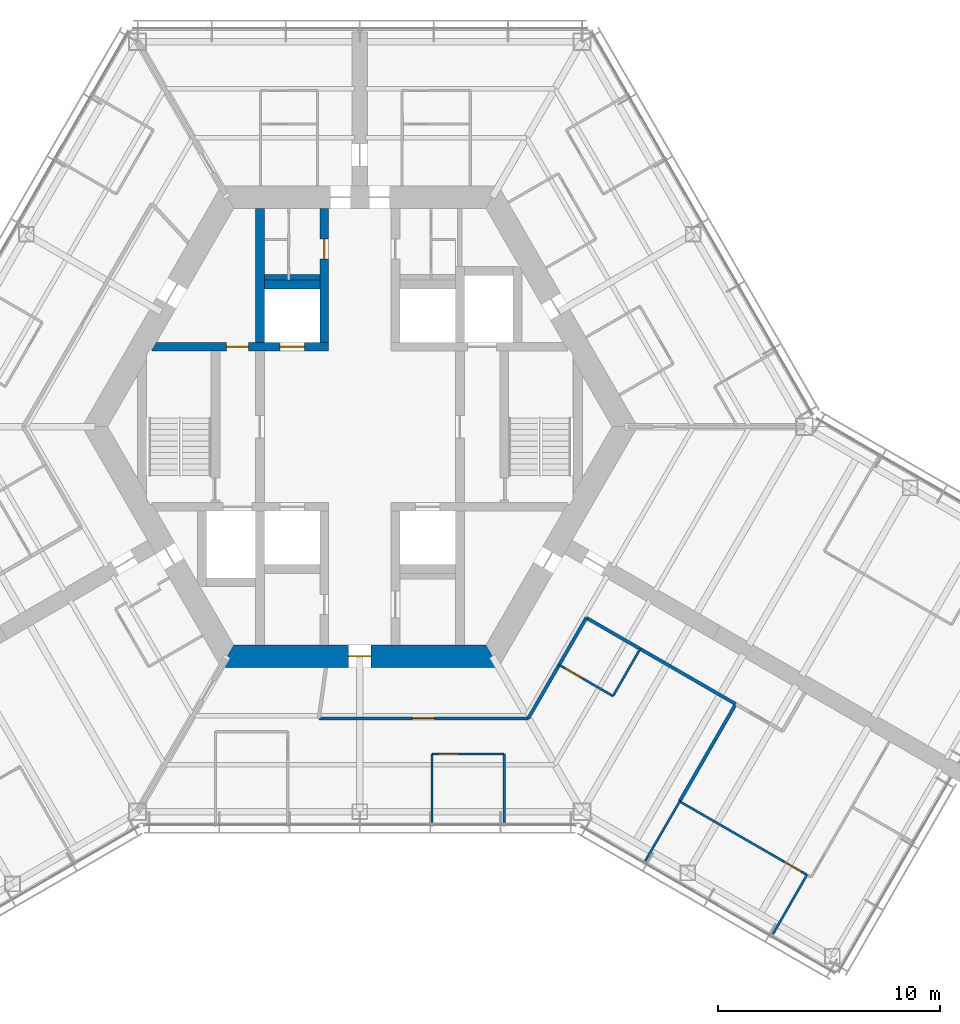
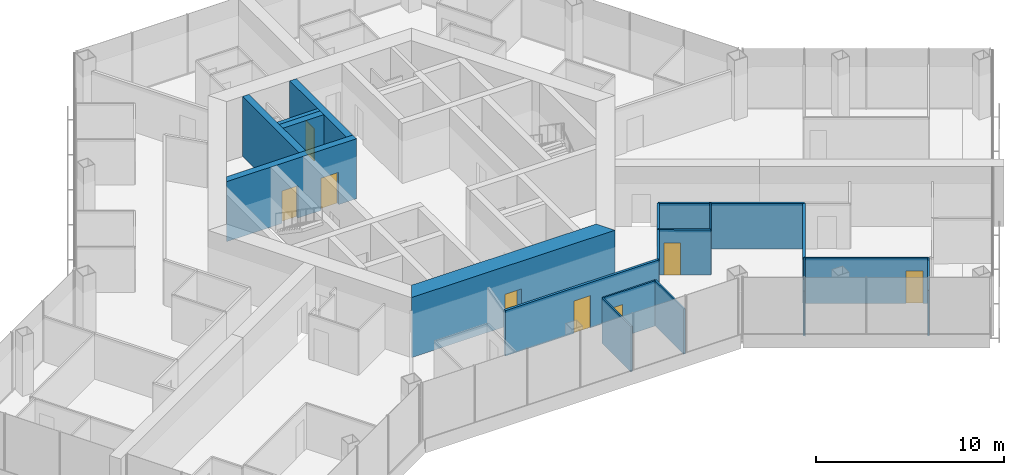
# One storey, part 13 of 19: 20 walls, 8 doors, 8 openings.
"""IFC4 building model written with IfcOpenShell, lengths in metres."""

from ifc_helpers import new_model, si_unit, direction, frame, frame_2d, origin, place, context, subcontext, project, spatial, polyline, rectangle, outline, extrude, material, layer, layer_set, type_object, element, fill, save


model = new_model("IFC4")

# Units and contexts
model_context = context("Model", 3, precision=1e-05, world=origin(), true_north=direction((0.0, 1.0)))
body_context = subcontext(model_context, "Body", "Model", "MODEL_VIEW")
ifc_project = project(units=[si_unit("LENGTHUNIT", "METRE"), si_unit("AREAUNIT", "SQUARE_METRE"), si_unit("VOLUMEUNIT", "CUBIC_METRE"), si_unit("PLANEANGLEUNIT", "RADIAN"), si_unit("MASSUNIT", "GRAM", prefix="KILO")], contexts=[model_context])

# Site, building, storey
site_placement = place(None, origin())
site = spatial("IfcSite", under=ifc_project, at=site_placement, CompositionType="ELEMENT")
building_placement = place(site_placement, origin())
building = spatial("IfcBuilding", under=site, at=building_placement, Name="Kasaneha Research Tower", CompositionType="ELEMENT")
storey_placement = place(building_placement, frame((0.0, 0.0, 156.5)))
storey = spatial("IfcBuildingStorey", under=building, at=storey_placement, Name="L39", CompositionType="ELEMENT", Elevation=156.5)

# Wall, openings, doors
ifc_material_1 = material(Name="Concrete Fc70", Category="concrete")
ifc_layer_1 = layer(ifc_material_1, 0.39990234375)
ifc_layer_set_1 = layer_set([ifc_layer_1], Name="Core internal wall 400 Fc70")
wall_type_1 = type_object("IfcWallType", Name="Core internal wall 400 Fc70", PredefinedType="SHEAR", material=ifc_layer_set_1)
wall_1_placement = place(storey_placement, frame((-9.266357421875, 3.60009765625, 0.0), z_axis=(0.0, 0.0, 1.0), x_axis=(1.0, 0.0, 0.0)))
wall_1 = element("IfcWall", 1, at=wall_1_placement, inside=storey, type_object=wall_type_1, Name="Core wall W1W L39", PredefinedType="SHEAR", context=body_context, shape_type="SweptSolid", body=[
    extrude(outline(polyline([(-0.115478515625, -0.199951171875), (3.266357421875, -0.199951171875), (4.266357421875, -0.199951171875), (5.66650390625, -0.199951171875), (6.7666015625, -0.199951171875), (7.866455078125, -0.199951171875), (7.866455078125, 0.199951171875), (6.7666015625, 0.199951171875), (5.66650390625, 0.199951171875), (4.266357421875, 0.199951171875), (3.266357421875, 0.199951171875), (0.115478515625, 0.199951171875), (-0.115478515625, -0.199951171875)])), origin(), (0.0, 0.0, 1.0), 3.89990234375),
])
opening_1_placement = place(wall_1_placement, frame((3.266357421875, 0.0, 0.0)))
opening_1 = element("IfcOpeningElement", 2, at=opening_1_placement, cuts=wall_1, Name="Opening L39-D12", PredefinedType="OPENING", context=body_context, shape_type="SweptSolid", body=[
    extrude(rectangle(XDim=1.0, YDim=2.10009765625, at=frame_2d((0.5, 1.050048828125))), frame((0.0, 0.2099609375, 0.0), z_axis=(0.0, -1.0, 0.0), x_axis=(1.0, 0.0, 0.0)), (0.0, 0.0, 1.0), 0.419921875),
])
opening_2_placement = place(wall_1_placement, frame((5.66650390625, 0.0, 0.0)))
opening_2 = element("IfcOpeningElement", 3, at=opening_2_placement, cuts=wall_1, Name="Opening LD-LM1-L39", PredefinedType="OPENING", context=body_context, shape_type="SweptSolid", body=[
    extrude(rectangle(XDim=1.10009765625, YDim=2.10009765625, at=frame_2d((0.550048828125, 1.050048828125))), frame((0.0, 0.2099609375, 0.0), z_axis=(0.0, -1.0, 0.0), x_axis=(1.0, 0.0, 0.0)), (0.0, 0.0, 1.0), 0.419921875),
])
ifc_material_2 = material(Name="Steel", Category="steel")
door_type_1 = type_object("IfcDoorType", Name="Lift landing door 1100x2100", OperationType="DOUBLE_DOOR_SLIDING", PredefinedType="DOOR", material=ifc_material_2)
door_1_placement = place(opening_2_placement, origin())
door_1 = element("IfcDoor", 4, at=door_1_placement, inside=storey, type_object=door_type_1, Name="Landing door LM1 LD-LM1-L39", OperationType="DOUBLE_DOOR_SLIDING", OverallHeight=2.10009765625, OverallWidth=1.10009765625, PredefinedType="DOOR", context=body_context, shape_type="SweptSolid", body=[
    extrude(rectangle(XDim=1.10009765625, YDim=2.10009765625, at=frame_2d((0.550048828125, 1.050048828125))), frame((0.0, 0.02490234375, 0.0), z_axis=(0.0, -1.0, 0.0), x_axis=(1.0, 0.0, 0.0)), (0.0, 0.0, 1.0), 0.050048828125),
])
fill(opening_2, door_1)
ifc_material_3 = material(Name="Steel", Category="steel")
door_type_2 = type_object("IfcDoorType", Name="Specified fire door FD60 1000x2100", OperationType="NOTDEFINED", PredefinedType="DOOR", material=ifc_material_3)
door_2_placement = place(opening_1_placement, origin())
door_2 = element("IfcDoor", 5, at=door_2_placement, inside=storey, type_object=door_type_2, Name="Vestibule to lobby door L39-D12", OperationType="SINGLE_SWING_LEFT", OverallHeight=2.10009765625, OverallWidth=1.0, PredefinedType="DOOR", context=body_context, shape_type="SweptSolid", body=[
    extrude(rectangle(XDim=1.0, YDim=2.10009765625, at=frame_2d((0.5, 1.050048828125))), frame((0.0, 0.02490234375, 0.0), z_axis=(0.0, -1.0, 0.0), x_axis=(1.0, 0.0, 0.0)), (0.0, 0.0, 1.0), 0.050048828125),
])
fill(opening_1, door_2)

# Wall, opening, door
wall_2_placement = place(storey_placement, frame((-1.60009765625, 3.800048828125, 0.0), z_axis=(0.0, 0.0, 1.0), x_axis=(0.0, 1.0, 0.0)))
wall_2 = element("IfcWall", 6, at=wall_2_placement, inside=storey, type_object=wall_type_1, Name="Core wall CNW L39", PredefinedType="SHEAR", context=body_context, shape_type="SweptSolid", body=[
    extrude(rectangle(XDim=6.02490234375, YDim=0.39990234375, at=frame_2d((3.012451171875, 0.0))), origin(), (0.0, 0.0, 1.0), 3.89990234375),
])
opening_3_placement = place(wall_2_placement, frame((3.75, 0.0, 0.0)))
opening_3 = element("IfcOpeningElement", 7, at=opening_3_placement, cuts=wall_2, Name="Opening L39-D13", PredefinedType="OPENING", context=body_context, shape_type="SweptSolid", body=[
    extrude(rectangle(XDim=0.89990234375, YDim=2.10009765625, at=frame_2d((0.449951171875, 1.050048828125))), frame((0.0, 0.2099609375, 0.0), z_axis=(0.0, -1.0, 0.0), x_axis=(1.0, 0.0, 0.0)), (0.0, 0.0, 1.0), 0.419921875),
])
ifc_material_4 = material(Name="Steel", Category="steel")
door_type_3 = type_object("IfcDoorType", Name="Toilet door FD20 900x2100", OperationType="NOTDEFINED", PredefinedType="DOOR", material=ifc_material_4)
door_3_placement = place(opening_3_placement, origin())
door_3 = element("IfcDoor", 8, at=door_3_placement, inside=storey, type_object=door_type_3, Name="Men's WC door L39-D13", OperationType="SINGLE_SWING_LEFT", OverallHeight=2.10009765625, OverallWidth=0.89990234375, PredefinedType="DOOR", context=body_context, shape_type="SweptSolid", body=[
    extrude(rectangle(XDim=0.89990234375, YDim=2.10009765625, at=frame_2d((0.449951171875, 1.050048828125))), frame((0.0, 0.02490234375, 0.0), z_axis=(0.0, -1.0, 0.0), x_axis=(1.0, 0.0, 0.0)), (0.0, 0.0, 1.0), 0.050048828125),
])
fill(opening_3, door_3)

# Walls
wall_3_placement = place(storey_placement, frame((-4.5, 3.800048828125, 0.0), z_axis=(0.0, 0.0, 1.0), x_axis=(0.0, 1.0, 0.0)))
element("IfcWall", 9, at=wall_3_placement, inside=storey, type_object=wall_type_1, Name="Core wall VNW L39", PredefinedType="SHEAR", context=body_context, shape_type="SweptSolid", body=[
    extrude(rectangle(XDim=6.02490234375, YDim=0.39990234375, at=frame_2d((3.012451171875, 0.0))), origin(), (0.0, 0.0, 1.0), 3.89990234375),
])
wall_4_placement = place(storey_placement, frame((-4.300048828125, 6.39990234375, 0.0), z_axis=(0.0, 0.0, 1.0), x_axis=(1.0, 0.0, 0.0)))
element("IfcWall", 10, at=wall_4_placement, inside=storey, type_object=wall_type_1, Name="Core wall N1N L39", PredefinedType="SHEAR", context=body_context, shape_type="SweptSolid", body=[
    extrude(rectangle(XDim=2.5, YDim=0.39990234375, at=frame_2d((1.25, 0.0))), origin(), (0.0, 0.0, 1.0), 3.89990234375),
])

# Wall, opening, door
ifc_material_5 = material(Name="Concrete Fc70", Category="concrete")
ifc_layer_2 = layer(ifc_material_5, 1.0)
ifc_layer_set_2 = layer_set([ifc_layer_2], Name="Core wall 1000 Fc70")
wall_type_2 = type_object("IfcWallType", Name="Core wall 1000 Fc70", PredefinedType="SHEAR", material=ifc_layer_set_2)
wall_5_placement = place(storey_placement, frame((-5.961181640625, -10.324951171875, 0.0), z_axis=(0.0, 0.0, 1.0), x_axis=(1.0, 0.0, 0.0)))
wall_5 = element("IfcWall", 11, at=wall_5_placement, inside=storey, type_object=wall_type_2, Name="Core wall 270 L39", PredefinedType="SHEAR", context=body_context, shape_type="SweptSolid", body=[
    extrude(outline(polyline([(-0.28857421875, -0.5), (5.461181640625, -0.5), (6.461181640625, -0.5), (12.2109375, -0.5), (11.6337890625, 0.5), (6.461181640625, 0.5), (5.461181640625, 0.5), (0.28857421875, 0.5), (-0.28857421875, -0.5)])), origin(), (0.0, 0.0, 1.0), 3.89990234375),
])
opening_4_placement = place(wall_5_placement, frame((5.461181640625, 0.0, 0.0)))
opening_4 = element("IfcOpeningElement", 12, at=opening_4_placement, cuts=wall_5, Name="Opening L39-D03", PredefinedType="OPENING", context=body_context, shape_type="SweptSolid", body=[
    extrude(rectangle(XDim=1.0, YDim=2.10009765625, at=frame_2d((0.5, 1.050048828125))), frame((0.0, 0.510009765625, 0.0), z_axis=(0.0, -1.0, 0.0), x_axis=(1.0, 0.0, 0.0)), (0.0, 0.0, 1.0), 1.02001953125),
])
ifc_material_6 = material(Name="Steel", Category="steel")
door_type_4 = type_object("IfcDoorType", Name="Fire door FD20 1000x2100", OperationType="NOTDEFINED", PredefinedType="DOOR", material=ifc_material_6)
door_4_placement = place(opening_4_placement, origin())
door_4 = element("IfcDoor", 13, at=door_4_placement, inside=storey, type_object=door_type_4, Name="Core door south L39-D03", OperationType="SINGLE_SWING_LEFT", OverallHeight=2.10009765625, OverallWidth=1.0, PredefinedType="DOOR", context=body_context, shape_type="SweptSolid", body=[
    extrude(rectangle(XDim=1.0, YDim=2.10009765625, at=frame_2d((0.5, 1.050048828125))), frame((0.0, 0.02490234375, 0.0), z_axis=(0.0, -1.0, 0.0), x_axis=(1.0, 0.0, 0.0)), (0.0, 0.0, 1.0), 0.050048828125),
])
fill(opening_4, door_4)

ifc_material_7 = material(Name="Gypsum board on steel studs, one layer each side", Category="steel")
ifc_layer_3 = layer(ifc_material_7, 0.10009765625)
ifc_layer_set_3 = layer_set([ifc_layer_3], Name="Office partition 100")
wall_type_3 = type_object("IfcWallType", Name="Office partition 100", PredefinedType="PARTITIONING", material=ifc_layer_set_3)
wall_6_placement = place(storey_placement, frame((11.3916015625, -12.119384765625, 0.0), z_axis=(0.0, 0.0, 1.0), x_axis=(-0.865255114713, 0.501331812737, 0.0)))
wall_6 = element("IfcWall", 14, at=wall_6_placement, inside=storey, type_object=wall_type_3, Name="Office partition FCS09 L39", PredefinedType="PARTITIONING", context=body_context, shape_type="SweptSolid", body=[
    extrude(rectangle(XDim=2.800048828125, YDim=0.10009765625, at=frame_2d((1.39990234375, 0.0))), origin(), (0.0, 0.0, 1.0), 2.949951171875),
])
opening_5_placement = place(wall_6_placement, frame((1.60009765625, 0.0, 0.0)))
opening_5 = element("IfcOpeningElement", 15, at=opening_5_placement, cuts=wall_6, Name="Opening L39-D49", PredefinedType="OPENING", context=body_context, shape_type="SweptSolid", body=[
    extrude(rectangle(XDim=0.89990234375, YDim=2.10009765625, at=frame_2d((0.449951171875, 1.050048828125))), frame((0.0, 0.06005859375, 0.0), z_axis=(0.0, -1.0, 0.0), x_axis=(1.0, 0.0, 0.0)), (0.0, 0.0, 1.0), 0.1201171875),
])
ifc_material_8 = material(Name="Timber veneer", Category="wood")
door_type_5 = type_object("IfcDoorType", Name="Office door 900x2100", OperationType="SINGLE_SWING_LEFT", PredefinedType="DOOR", material=ifc_material_8)
door_5_placement = place(opening_5_placement, origin())
door_5 = element("IfcDoor", 16, at=door_5_placement, inside=storey, type_object=door_type_5, Name="Pantry door L39-D49", OperationType="SINGLE_SWING_RIGHT", OverallHeight=2.10009765625, OverallWidth=0.89990234375, PredefinedType="DOOR", context=body_context, shape_type="SweptSolid", body=[
    extrude(rectangle(XDim=0.89990234375, YDim=2.10009765625, at=frame_2d((0.449951171875, 1.050048828125))), frame((0.0, 0.02490234375, 0.0), z_axis=(0.0, -1.0, 0.0), x_axis=(1.0, 0.0, 0.0)), (0.0, 0.0, 1.0), 0.050048828125),
])
fill(opening_5, door_5)

# Walls
wall_7_placement = place(storey_placement, frame((12.612548828125, -9.995361328125, 0.0), z_axis=(0.0, 0.0, 1.0), x_axis=(-0.498358783585, -0.86697088926, 0.0)))
element("IfcWall", 17, at=wall_7_placement, inside=storey, type_object=wall_type_3, Name="Office partition FCS10 L39", PredefinedType="PARTITIONING", context=body_context, shape_type="SweptSolid", body=[
    extrude(rectangle(XDim=2.449951171875, YDim=0.10009765625, at=frame_2d((1.22509765625, 0.0))), origin(), (0.0, 0.0, 1.0), 2.949951171875),
])
wall_8_placement = place(storey_placement, frame((20.1201171875, -20.1611328125, 0.0), z_axis=(0.0, 0.0, 1.0), x_axis=(-0.498424956379, -0.866932847952, 0.0)))
element("IfcWall", 18, at=wall_8_placement, inside=storey, type_object=wall_type_3, Name="Office partition FCS11 L39", PredefinedType="PARTITIONING", context=body_context, shape_type="SweptSolid", body=[
    extrude(rectangle(XDim=3.080078125, YDim=0.10009765625, at=frame_2d((1.5400390625, 0.0))), origin(), (0.0, 0.0, 1.0), 2.949951171875),
])
wall_9_placement = place(storey_placement, frame((12.839599609375, -19.543212890625, 0.0), z_axis=(0.0, 0.0, 1.0), x_axis=(0.501312084577, 0.865266544977, 0.0)))
element("IfcWall", 19, at=wall_9_placement, inside=storey, type_object=wall_type_3, Name="Office partition FCS12 L39", PredefinedType="PARTITIONING", context=body_context, shape_type="SweptSolid", body=[
    extrude(rectangle(XDim=3.105224609375, YDim=0.10009765625, at=frame_2d((1.552734375, 0.0))), origin(), (0.0, 0.0, 1.0), 2.949951171875),
])

# Wall, opening, door
wall_10_placement = place(storey_placement, frame((14.389892578125, -16.85791015625, 0.0), z_axis=(0.0, 0.0, 1.0), x_axis=(0.866056005776, -0.49994699205, 0.0)))
wall_10 = element("IfcWall", 20, at=wall_10_placement, inside=storey, type_object=wall_type_3, Name="Office partition FCS13 L39", PredefinedType="PARTITIONING", context=body_context, shape_type="SweptSolid", body=[
    extrude(rectangle(XDim=6.619873046875, YDim=0.10009765625, at=frame_2d((3.31005859375, 0.0))), origin(), (0.0, 0.0, 1.0), 2.949951171875),
])
opening_6_placement = place(wall_10_placement, frame((5.419677734375, 0.0, 0.0)))
opening_6 = element("IfcOpeningElement", 21, at=opening_6_placement, cuts=wall_10, Name="Opening L39-D50", PredefinedType="OPENING", context=body_context, shape_type="SweptSolid", body=[
    extrude(rectangle(XDim=0.89990234375, YDim=2.10009765625, at=frame_2d((0.449951171875, 1.050048828125))), frame((0.0, 0.06005859375, 0.0), z_axis=(0.0, -1.0, 0.0), x_axis=(1.0, 0.0, 0.0)), (0.0, 0.0, 1.0), 0.1201171875),
])
door_6_placement = place(opening_6_placement, origin())
door_6 = element("IfcDoor", 22, at=door_6_placement, inside=storey, type_object=door_type_5, Name="Manager's office door L39-D50", OperationType="SINGLE_SWING_RIGHT", OverallHeight=2.10009765625, OverallWidth=0.89990234375, PredefinedType="DOOR", context=body_context, shape_type="SweptSolid", body=[
    extrude(rectangle(XDim=0.89990234375, YDim=2.10009765625, at=frame_2d((0.449951171875, 1.050048828125))), frame((0.0, 0.02490234375, 0.0), z_axis=(0.0, -1.0, 0.0), x_axis=(1.0, 0.0, 0.0)), (0.0, 0.0, 1.0), 0.050048828125),
])
fill(opening_6, door_6)

# Wall
wall_11_placement = place(storey_placement, frame((3.246337890625, -17.800537109375, 0.0), z_axis=(0.0, 0.0, 1.0), x_axis=(0.0, 1.0, 0.0)))
element("IfcWall", 23, at=wall_11_placement, inside=storey, type_object=wall_type_3, Name="Office partition FCS20 L39", PredefinedType="PARTITIONING", context=body_context, shape_type="SweptSolid", body=[
    extrude(rectangle(XDim=3.080078125, YDim=0.10009765625, at=frame_2d((1.5400390625, 0.0))), origin(), (0.0, 0.0, 1.0), 2.949951171875),
])

# Wall, opening, door
wall_12_placement = place(storey_placement, frame((3.246337890625, -14.720458984375, 0.0), z_axis=(0.0, 0.0, 1.0), x_axis=(1.0, 0.0, 0.0)))
wall_12 = element("IfcWall", 24, at=wall_12_placement, inside=storey, type_object=wall_type_3, Name="Office partition FCS21 L39", PredefinedType="PARTITIONING", context=body_context, shape_type="SweptSolid", body=[
    extrude(rectangle(XDim=3.24658203125, YDim=0.10009765625, at=frame_2d((1.623291015625, 0.0))), origin(), (0.0, 0.0, 1.0), 2.949951171875),
])
opening_7_placement = place(wall_12_placement, frame((0.300048828125, 0.0, 0.0)))
opening_7 = element("IfcOpeningElement", 25, at=opening_7_placement, cuts=wall_12, Name="Opening L39-D54", PredefinedType="OPENING", context=body_context, shape_type="SweptSolid", body=[
    extrude(rectangle(XDim=0.89990234375, YDim=2.10009765625, at=frame_2d((0.449951171875, 1.050048828125))), frame((0.0, 0.06005859375, 0.0), z_axis=(0.0, -1.0, 0.0), x_axis=(1.0, 0.0, 0.0)), (0.0, 0.0, 1.0), 0.1201171875),
])
door_7_placement = place(opening_7_placement, origin())
door_7 = element("IfcDoor", 26, at=door_7_placement, inside=storey, type_object=door_type_5, Name="Phone room door L39-D54", OperationType="SINGLE_SWING_LEFT", OverallHeight=2.10009765625, OverallWidth=0.89990234375, PredefinedType="DOOR", context=body_context, shape_type="SweptSolid", body=[
    extrude(rectangle(XDim=0.89990234375, YDim=2.10009765625, at=frame_2d((0.449951171875, 1.050048828125))), frame((0.0, 0.02490234375, 0.0), z_axis=(0.0, -1.0, 0.0), x_axis=(1.0, 0.0, 0.0)), (0.0, 0.0, 1.0), 0.050048828125),
])
fill(opening_7, door_7)

# Walls
wall_13_placement = place(storey_placement, frame((6.492919921875, -14.720458984375, 0.0), z_axis=(0.0, 0.0, 1.0), x_axis=(0.0, -1.0, 0.0)))
element("IfcWall", 27, at=wall_13_placement, inside=storey, type_object=wall_type_3, Name="Office partition FCS22 L39", PredefinedType="PARTITIONING", context=body_context, shape_type="SweptSolid", body=[
    extrude(rectangle(XDim=3.080078125, YDim=0.10009765625, at=frame_2d((1.5400390625, 0.0))), origin(), (0.0, 0.0, 1.0), 2.949951171875),
])
ifc_material_9 = material(Name="Gypsum board on steel studs, two layers each side", Category="steel")
ifc_layer_4 = layer(ifc_material_9, 0.14990234375)
ifc_layer_set_4 = layer_set([ifc_layer_4], Name="Suite partition 150")
wall_type_4 = type_object("IfcWallType", Name="Suite partition 150", PredefinedType="PARTITIONING", material=ifc_layer_set_4)
wall_14_placement = place(storey_placement, frame((10.191650390625, -8.59765625, 0.0), z_axis=(0.0, 0.0, 1.0), x_axis=(-0.499989298045, -0.866031582473, 0.0)))
element("IfcWall", 28, at=wall_14_placement, inside=storey, type_object=wall_type_4, Name="Suite partition FCS01 L39", PredefinedType="PARTITIONING", context=body_context, shape_type="SweptSolid", body=[
    extrude(rectangle(XDim=2.455078125, YDim=0.14990234375, at=frame_2d((1.2275390625, 0.0))), origin(), (0.0, 0.0, 1.0), 2.949951171875),
])
wall_15_placement = place(storey_placement, frame((12.620849609375, -10.000244140625, 0.0), z_axis=(0.0, 0.0, 1.0), x_axis=(-0.866011654119, 0.500023814363, 0.0)))
element("IfcWall", 29, at=wall_15_placement, inside=storey, type_object=wall_type_4, Name="Suite partition FCS02 L39", PredefinedType="PARTITIONING", context=body_context, shape_type="SweptSolid", body=[
    extrude(rectangle(XDim=2.804931640625, YDim=0.14990234375, at=frame_2d((1.40234375, 0.0))), origin(), (0.0, 0.0, 1.0), 2.949951171875),
])

# Wall, opening, door
wall_16_placement = place(storey_placement, frame((7.57763671875, -13.125, 0.0), z_axis=(0.0, 0.0, 1.0), x_axis=(-1.0, 0.0, 0.0)))
wall_16 = element("IfcWall", 30, at=wall_16_placement, inside=storey, type_object=wall_type_4, Name="Suite partition FCS04 L39", PredefinedType="PARTITIONING", context=body_context, shape_type="SweptSolid", body=[
    extrude(rectangle(XDim=9.422119140625, YDim=0.14990234375, at=frame_2d((4.7109375, 0.0))), origin(), (0.0, 0.0, 1.0), 2.949951171875),
])
opening_8_placement = place(wall_16_placement, frame((4.211181640625, 0.0, 0.0)))
opening_8 = element("IfcOpeningElement", 31, at=opening_8_placement, cuts=wall_16, Name="Opening L39-D47", PredefinedType="OPENING", context=body_context, shape_type="SweptSolid", body=[
    extrude(rectangle(XDim=1.0, YDim=2.10009765625, at=frame_2d((0.5, 1.050048828125))), frame((0.0, 0.0849609375, 0.0), z_axis=(0.0, -1.0, 0.0), x_axis=(1.0, 0.0, 0.0)), (0.0, 0.0, 1.0), 0.169921875),
])
ifc_material_10 = material(Name="Steel", Category="steel")
door_type_6 = type_object("IfcDoorType", Name="Suite entrance door FD60 1000x2100", OperationType="NOTDEFINED", PredefinedType="DOOR", material=ifc_material_10)
door_8_placement = place(opening_8_placement, origin())
door_8 = element("IfcDoor", 32, at=door_8_placement, inside=storey, type_object=door_type_6, Name="Suite entrance door L39-D47", OperationType="SINGLE_SWING_LEFT", OverallHeight=2.10009765625, OverallWidth=1.0, PredefinedType="DOOR", context=body_context, shape_type="SweptSolid", body=[
    extrude(rectangle(XDim=1.0, YDim=2.10009765625, at=frame_2d((0.5, 1.050048828125))), frame((0.0, 0.02490234375, 0.0), z_axis=(0.0, -1.0, 0.0), x_axis=(1.0, 0.0, 0.0)), (0.0, 0.0, 1.0), 0.050048828125),
])
fill(opening_8, door_8)

# Walls
wall_17_placement = place(storey_placement, frame((8.96875, -10.715576171875, 0.0), z_axis=(0.0, 0.0, 1.0), x_axis=(-0.500008568482, -0.866020456713, 0.0)))
element("IfcWall", 33, at=wall_17_placement, inside=storey, type_object=wall_type_4, Name="Suite partition FCS05 L39", PredefinedType="PARTITIONING", context=body_context, shape_type="SweptSolid", body=[
    extrude(rectangle(XDim=2.7822265625, YDim=0.14990234375, at=frame_2d((1.39111328125, 0.0))), origin(), (0.0, 0.0, 1.0), 2.949951171875),
])
wall_18_placement = place(storey_placement, frame((16.92138671875, -12.483154296875, 0.0), z_axis=(0.0, 0.0, 1.0), x_axis=(-0.866018071205, 0.500012700186, 0.0)))
element("IfcWall", 34, at=wall_18_placement, inside=storey, type_object=wall_type_4, Name="Suite partition FCS06 L39", PredefinedType="PARTITIONING", context=body_context, shape_type="SweptSolid", body=[
    extrude(rectangle(XDim=4.975341796875, YDim=0.14990234375, at=frame_2d((2.48779296875, 0.0))), origin(), (0.0, 0.0, 1.0), 2.949951171875),
])
wall_19_placement = place(storey_placement, frame((16.91259765625, -12.478515625, 0.0), z_axis=(0.0, 0.0, 1.0), x_axis=(-0.499184300032, -0.866495836459, 0.0)))
element("IfcWall", 35, at=wall_19_placement, inside=storey, type_object=wall_type_4, Name="Suite partition FCS23 L39", PredefinedType="PARTITIONING", context=body_context, shape_type="SweptSolid", body=[
    extrude(rectangle(XDim=5.05419921875, YDim=0.14990234375, at=frame_2d((2.527099609375, 0.0))), origin(), (0.0, 0.0, 1.0), 2.949951171875),
])
ifc_material_11 = material(Name="Concrete block lining", Category="concrete")
ifc_layer_5 = layer(ifc_material_11, 0.25)
ifc_layer_set_5 = layer_set([ifc_layer_5], Name="WC plumbing wall 250")
wall_type_5 = type_object("IfcWallType", Name="WC plumbing wall 250", PredefinedType="PLUMBINGWALL", material=ifc_layer_set_5)
wall_20_placement = place(storey_placement, frame((-4.300048828125, 6.72509765625, 0.0), z_axis=(0.0, 0.0, 1.0), x_axis=(1.0, 0.0, 0.0)))
element("IfcWall", 36, at=wall_20_placement, inside=storey, type_object=wall_type_5, Name="WC plumbing wall M L39", PredefinedType="PLUMBINGWALL", context=body_context, shape_type="SweptSolid", body=[
    extrude(rectangle(XDim=2.5, YDim=0.25, at=frame_2d((1.25, 0.0))), origin(), (0.0, 0.0, 1.0), 3.89990234375),
])

save(model, "model.ifc")
